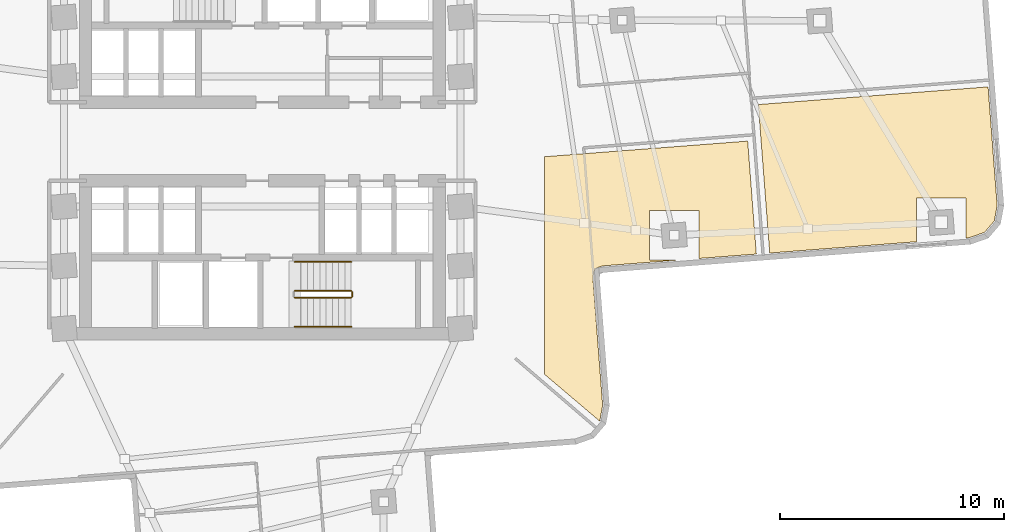
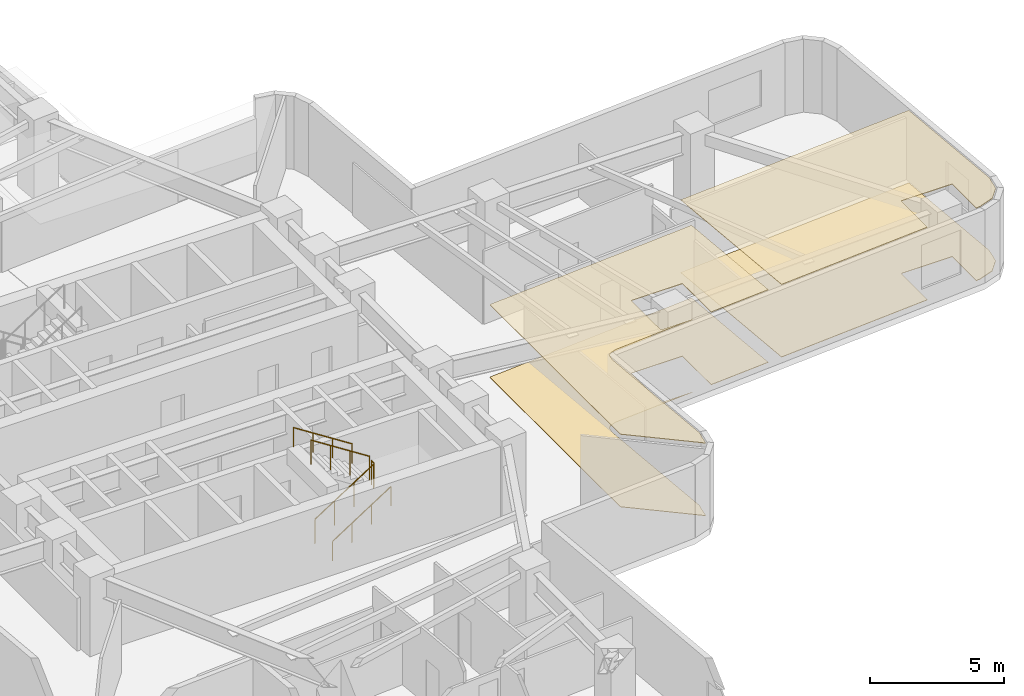
# One storey, part 8 of 10: 5 railings, 4 coverings.
"""IFC4 building model written with IfcOpenShell, lengths in metres."""

import ifcopenshell
import ifcopenshell.guid

model = None  # the IFC model being written
_history = None  # IfcOwnerHistory: only IFC2X3 demands one
_inside = {}  # id of a spatial element -> (the spatial element, [elements in it])
_under = {}  # id of a project, library or spatial element -> (it, [spatial elements below it])
_declared = {}  # id of a project -> (the project, [libraries it declares])
_typed = {}  # id of a type object -> (the type object, [elements of that type])
_made_of = {}  # id of a material, layer set ... -> (it, [elements and type objects made of it])


def new_model(schema):
    """Start an empty IFC model of exactly this schema.

    Asked for "IFC4X3", IfcOpenShell would pick the latest addendum, in which some entities
    have other attributes; the version numbers below select the first issue.
    IFC2X3 requires an IfcOwnerHistory on every rooted entity: one is made here for all.
    """
    global model, _history
    if schema == "IFC4X3":
        model = ifcopenshell.file(schema_version=(4, 3, 0, 0))
    else:
        model = ifcopenshell.file(schema=schema)
    _inside.clear()
    _under.clear()
    _declared.clear()
    _typed.clear()
    _made_of.clear()
    _history = None
    if model.schema == "IFC2X3":
        org = make("IfcOrganization", Name="unknown")
        user = make(
            "IfcPersonAndOrganization",
            ThePerson=make("IfcPerson", FamilyName="unknown"),
            TheOrganization=org,
        )
        app = make(
            "IfcApplication",
            ApplicationDeveloper=org,
            Version="unknown",
            ApplicationFullName="unknown",
            ApplicationIdentifier="unknown",
        )
        _history = make(
            "IfcOwnerHistory",
            OwningUser=user,
            OwningApplication=app,
            ChangeAction="ADDED",
            CreationDate=0,
        )
    return model


def make(cls, **values):
    """One entity of the class cls with the attributes given. An attribute that is None is left unset."""
    return model.create_entity(
        cls, **{name: value for name, value in values.items() if value is not None}
    )


def rooted(cls, **values):
    """An entity with a GlobalId (a new one), such as an element, a storey or a relation."""
    return make(cls, GlobalId=ifcopenshell.guid.new(), OwnerHistory=_history, **values)


def si_unit(unit_type, name, prefix=None):
    """IfcSIUnit, for example si_unit("LENGTHUNIT", "METRE", prefix="MILLI")."""
    return make("IfcSIUnit", UnitType=unit_type, Prefix=prefix, Name=name)


def assignment(units):
    """IfcUnitAssignment: the units of a project."""
    return None if units is None else make("IfcUnitAssignment", Units=units)


def point(xyz):
    """IfcCartesianPoint."""
    return None if xyz is None else make("IfcCartesianPoint", Coordinates=xyz)


def direction(xyz):
    """IfcDirection."""
    return None if xyz is None else make("IfcDirection", DirectionRatios=xyz)


def frame(location, z_axis=None, x_axis=None):
    """IfcAxis2Placement3D, a coordinate frame: its origin and axes. An axis left out is left unset."""
    return make(
        "IfcAxis2Placement3D",
        Location=point(location),
        Axis=direction(z_axis),
        RefDirection=direction(x_axis),
    )


def frame_2d(location, x_axis=None):
    """IfcAxis2Placement2D, a coordinate frame in the plane: its origin and x axis."""
    return make(
        "IfcAxis2Placement2D", Location=point(location), RefDirection=direction(x_axis)
    )


def origin():
    """The frame at (0, 0, 0) with its axes left unset."""
    return frame((0.0, 0.0, 0.0))


def origin_2d():
    """The frame at (0, 0) in the plane with its x axis left unset."""
    return frame_2d((0.0, 0.0))


def place(relative_to, where):
    """IfcLocalPlacement: puts the frame where relative to a parent placement (None: the world)."""
    return make(
        "IfcLocalPlacement", PlacementRelTo=relative_to, RelativePlacement=where
    )


def context(
    kind, dimensions, precision=None, world=None, true_north=None, identifier=None
):
    """IfcGeometricRepresentationContext, for example the 3D "Model" context."""
    return make(
        "IfcGeometricRepresentationContext",
        ContextIdentifier=identifier,
        ContextType=kind,
        CoordinateSpaceDimension=dimensions,
        Precision=precision,
        WorldCoordinateSystem=world,
        TrueNorth=true_north,
    )


def subcontext(parent, identifier, kind, view, scale=None):
    """IfcGeometricRepresentationSubContext, for example "Body" below "Model"."""
    return make(
        "IfcGeometricRepresentationSubContext",
        ContextIdentifier=identifier,
        ContextType=kind,
        ParentContext=parent,
        TargetScale=scale,
        TargetView=view,
    )


def project(units=None, contexts=None):
    """IfcProject with its units and contexts."""
    return rooted(
        "IfcProject",
        Name="project",
        RepresentationContexts=contexts,
        UnitsInContext=assignment(units),
    )


def spatial(cls, under=None, at=None, **own):
    """A site, building, storey or space (cls), placed at a placement, below another one or the project."""
    s = rooted(cls, ObjectPlacement=at, **own)
    if under is not None:
        _under.setdefault(under.id(), (under, []))[1].append(s)
    return s


def polyline(points):
    """IfcPolyline through the points."""
    return make("IfcPolyline", Points=[point(p) for p in points])


def profile(cls, at=None, kind="AREA", **sizes):
    """A parametric profile (cls). Its sizes go by their IFC names, for example OverallWidth=200.0."""
    return make(cls, ProfileType=kind, Position=at, **sizes)


def circle(**sizes):
    """IfcCircleProfileDef."""
    return profile("IfcCircleProfileDef", **sizes)


def outline(outer, holes=None, kind="AREA"):
    """IfcArbitraryClosedProfileDef: a profile drawn as a closed curve; with holes, ...WithVoids."""
    if holes is None:
        return make("IfcArbitraryClosedProfileDef", ProfileType=kind, OuterCurve=outer)
    return make(
        "IfcArbitraryProfileDefWithVoids",
        ProfileType=kind,
        OuterCurve=outer,
        InnerCurves=holes,
    )


def extrude(swept, where, along, depth):
    """IfcExtrudedAreaSolid: the profile swept, set in the frame where, extruded along a direction by depth."""
    return make(
        "IfcExtrudedAreaSolid",
        SweptArea=swept,
        Position=where,
        ExtrudedDirection=direction(along),
        Depth=depth,
    )


def shape(context_of_items, identifier, shape_type, items):
    """IfcShapeRepresentation: the items that make up one representation, for example the "Body"."""
    return make(
        "IfcShapeRepresentation",
        ContextOfItems=context_of_items,
        RepresentationIdentifier=identifier,
        RepresentationType=shape_type,
        Items=items,
    )


def material(Name=None, Category=None):
    """IfcMaterial."""
    return make("IfcMaterial", Name=Name, Category=Category)


def layer(
    of_material, thickness, ventilated=None, Name=None, Category=None, Priority=None
):
    """IfcMaterialLayer: one layer of a wall or slab, of a material (None: an air gap)."""
    return make(
        "IfcMaterialLayer",
        Material=of_material,
        LayerThickness=thickness,
        IsVentilated=ventilated,
        Name=Name,
        Category=Category,
        Priority=Priority,
    )


def layer_set(layers, Name=None):
    """IfcMaterialLayerSet."""
    return make("IfcMaterialLayerSet", MaterialLayers=layers, LayerSetName=Name)


def made_of(thing, what):
    """Note that an element or type object is made of a material, layer set ...; save() writes the relation."""
    if what is not None:
        _made_of.setdefault(what.id(), (what, []))[1].append(thing)
    return thing


def type_object(cls, material=None, **own):
    """A type object (cls), such as IfcWallType, which elements share."""
    return made_of(rooted(cls, **own), material)


def element(
    cls,
    number,
    at=None,
    inside=None,
    cuts=None,
    type_object=None,
    material=None,
    context=None,
    identifier="Body",
    shape_type=None,
    held_by="IfcProductDefinitionShape",
    body=None,
    shapes=None,
    **own,
):
    """One element of the class cls, such as IfcWall. Its Tag is "e" and its number.

    at: its placement. inside: the storey or other place that contains it. cuts: it is an
    opening in that element (IfcRelVoidsElement). A single representation is given by context,
    identifier, shape_type and body (its items); several are given by shapes. held_by: the class
    of the entity that holds the representations. save() writes the other relations.
    """
    e = rooted(cls, Tag="e%d" % number, ObjectPlacement=at, **own)
    if body is not None:
        shapes = [shape(context, identifier, shape_type, body)]
    if shapes is not None:
        e.Representation = make(held_by, Representations=shapes)
    if inside is not None:
        _inside.setdefault(inside.id(), (inside, []))[1].append(e)
    if cuts is not None:
        rooted(
            "IfcRelVoidsElement", RelatingBuildingElement=cuts, RelatedOpeningElement=e
        )
    if type_object is not None:
        _typed.setdefault(type_object.id(), (type_object, []))[1].append(e)
    return made_of(e, material)


def aggregate(whole, parts):
    """IfcRelAggregates: a whole, such as a stair, and the parts it consists of."""
    return rooted("IfcRelAggregates", RelatingObject=whole, RelatedObjects=parts)


def save(model, path):
    """Write the relations noted so far, then the file.

    IfcRelAggregates (storeys below a building ...), IfcRelContainedInSpatialStructure (elements
    in a storey), IfcRelDefinesByType, IfcRelAssociatesMaterial and IfcRelDeclares: one each for
    every whole, place, type object, material and project.
    """
    for whole, parts in _under.values():
        aggregate(whole, parts)
    for where, things in _inside.values():
        rooted(
            "IfcRelContainedInSpatialStructure",
            RelatedElements=things,
            RelatingStructure=where,
        )
    for kind, things in _typed.values():
        rooted("IfcRelDefinesByType", RelatedObjects=things, RelatingType=kind)
    for what, things in _made_of.values():
        rooted("IfcRelAssociatesMaterial", RelatedObjects=things, RelatingMaterial=what)
    for by, libraries in _declared.values():
        rooted("IfcRelDeclares", RelatingContext=by, RelatedDefinitions=libraries)
    model.write(path)


model = new_model("IFC4")

# Units and contexts
model_context = context("Model", 3, precision=1e-05, world=origin(), true_north=direction((0.0, 1.0)))
body_context = subcontext(model_context, "Body", "Model", "MODEL_VIEW")
ifc_project = project(units=[si_unit("LENGTHUNIT", "METRE"), si_unit("AREAUNIT", "SQUARE_METRE"), si_unit("VOLUMEUNIT", "CUBIC_METRE"), si_unit("PLANEANGLEUNIT", "RADIAN"), si_unit("MASSUNIT", "GRAM", prefix="KILO")], contexts=[model_context])

# Site, building, storey
site_placement = place(None, origin())
site = spatial("IfcSite", under=ifc_project, at=site_placement, CompositionType="ELEMENT")
building_placement = place(site_placement, origin())
building = spatial("IfcBuilding", under=site, at=building_placement, Name="Solmarez Civic Tower", CompositionType="ELEMENT")
storey_placement = place(building_placement, frame((0.0, 0.0, 56.8798828125)))
storey = spatial("IfcBuildingStorey", under=building, at=storey_placement, Name="L14", CompositionType="ELEMENT", Elevation=56.8798828125)

# Coverings
ifc_material_1 = material(Name="Perforated Mineral-Fibre Acoustic Ceiling")
ifc_layer_1 = layer(ifc_material_1, 0.02490234375)
ifc_layer_set_1 = layer_set([ifc_layer_1], Name="Perforated Mineral-Fibre Acoustic Ceiling")
covering_type_1 = type_object("IfcCoveringType", Name="COV-CEIL-ACOUSTIC", PredefinedType="CEILING", material=ifc_layer_set_1)
covering_1_placement = place(storey_placement, frame((0.0, 0.0, 3.295166015625)))
element("IfcCovering", 1, at=covering_1_placement, inside=storey, type_object=covering_type_1, Name="L14 Suspended Acoustic Ceiling 3", PredefinedType="CEILING", context=body_context, shape_type="SweptSolid", body=[
    extrude(outline(polyline([(12.60009765625, -0.675048828125), (12.60009765625, -10.39208984375), (15.06396484375, -12.48095703125), (15.069091796875, -12.47509765625), (15.197998046875, -11.779052734375), (14.761962890625, -6.10302734375), (14.760009765625, -6.08203125), (14.760009765625, -6.06201171875), (14.761962890625, -6.041015625), (14.762939453125, -6.033935546875), (14.763916015625, -6.027099609375), (14.76611328125, -6.01806640625), (14.797119140625, -5.84912109375), (14.801025390625, -5.8291015625), (14.802978515625, -5.822021484375), (14.81298828125, -5.794921875), (14.819091796875, -5.781005859375), (14.822021484375, -5.77392578125), (14.8310546875, -5.7548828125), (14.842041015625, -5.737060546875), (14.85498046875, -5.719970703125), (14.860107421875, -5.714111328125), (14.864990234375, -5.7080078125), (14.8779296875, -5.693115234375), (14.883056640625, -5.68798828125), (14.89794921875, -5.675048828125), (14.904052734375, -5.669921875), (14.919921875, -5.657958984375), (14.93701171875, -5.64697265625), (14.955078125, -5.635986328125), (14.97607421875, -5.626953125), (14.998046875, -5.618896484375), (15.157958984375, -5.56201171875), (15.1640625, -5.56005859375), (15.18310546875, -5.554931640625), (15.202880859375, -5.551025390625), (15.2099609375, -5.550048828125), (15.217041015625, -5.549072265625), (15.23095703125, -5.548095703125), (18.659912109375, -5.283935546875), (17.291015625, -5.283935546875), (17.291015625, -3.083984375), (19.490966796875, -3.083984375), (19.490966796875, -5.219970703125), (22.06103515625, -5.02294921875), (21.673095703125, 0.02294921875), (12.60009765625, -0.675048828125)])), origin(), (0.0, 0.0, 1.0), 0.02490234375),
])
covering_2_placement = place(storey_placement, frame((0.0, 0.0, 3.295166015625)))
element("IfcCovering", 2, at=covering_2_placement, inside=storey, type_object=covering_type_1, Name="L14 Suspended Acoustic Ceiling 4", PredefinedType="CEILING", context=body_context, shape_type="SweptSolid", body=[
    extrude(outline(polyline([(22.657958984375, -4.97705078125), (29.218017578125, -4.471923828125), (29.218017578125, -2.509033203125), (31.41796875, -2.509033203125), (31.41796875, -4.302978515625), (31.58203125, -4.2900390625), (32.25, -4.053955078125), (32.68603515625, -3.548095703125), (32.81494140625, -2.85107421875), (32.408935546875, 2.444091796875), (22.14794921875, 1.655029296875), (22.657958984375, -4.97705078125)])), origin(), (0.0, 0.0, 1.0), 0.02490234375),
])
ifc_material_2 = material(Name="Polished Tropical Stone Terrazzo Flooring", Category="masonry")
ifc_layer_2 = layer(ifc_material_2, 0.02001953125)
ifc_layer_set_2 = layer_set([ifc_layer_2], Name="Polished Tropical Stone Terrazzo Flooring")
covering_type_2 = type_object("IfcCoveringType", Name="COV-FLOOR-TERRAZZO", PredefinedType="FLOORING", material=ifc_layer_set_2)
covering_3_placement = place(storey_placement, origin())
element("IfcCovering", 3, at=covering_3_placement, inside=storey, type_object=covering_type_2, Name="L14 Terrazzo Floor Finish 3", PredefinedType="FLOORING", context=body_context, shape_type="SweptSolid", body=[
    extrude(outline(polyline([(12.60009765625, -0.675048828125), (12.60009765625, -10.39208984375), (15.06396484375, -12.48095703125), (15.069091796875, -12.47509765625), (15.197998046875, -11.779052734375), (14.761962890625, -6.10302734375), (14.760009765625, -6.08203125), (14.760009765625, -6.06201171875), (14.761962890625, -6.041015625), (14.762939453125, -6.033935546875), (14.763916015625, -6.027099609375), (14.76611328125, -6.01806640625), (14.797119140625, -5.84912109375), (14.801025390625, -5.8291015625), (14.802978515625, -5.822021484375), (14.81298828125, -5.794921875), (14.819091796875, -5.781005859375), (14.822021484375, -5.77392578125), (14.8310546875, -5.7548828125), (14.842041015625, -5.737060546875), (14.85498046875, -5.719970703125), (14.860107421875, -5.714111328125), (14.864990234375, -5.7080078125), (14.8779296875, -5.693115234375), (14.883056640625, -5.68798828125), (14.89794921875, -5.675048828125), (14.904052734375, -5.669921875), (14.919921875, -5.657958984375), (14.93701171875, -5.64697265625), (14.955078125, -5.635986328125), (14.97607421875, -5.626953125), (14.998046875, -5.618896484375), (15.157958984375, -5.56201171875), (15.1640625, -5.56005859375), (15.18310546875, -5.554931640625), (15.202880859375, -5.551025390625), (15.2099609375, -5.550048828125), (15.217041015625, -5.549072265625), (15.23095703125, -5.548095703125), (18.659912109375, -5.283935546875), (17.291015625, -5.283935546875), (17.291015625, -3.083984375), (19.490966796875, -3.083984375), (19.490966796875, -5.219970703125), (22.06103515625, -5.02294921875), (21.673095703125, 0.02294921875), (12.60009765625, -0.675048828125)])), origin(), (0.0, 0.0, 1.0), 0.02001953125),
])
covering_4_placement = place(storey_placement, origin())
element("IfcCovering", 4, at=covering_4_placement, inside=storey, type_object=covering_type_2, Name="L14 Terrazzo Floor Finish 4", PredefinedType="FLOORING", context=body_context, shape_type="SweptSolid", body=[
    extrude(outline(polyline([(22.657958984375, -4.97705078125), (29.218017578125, -4.471923828125), (29.218017578125, -2.509033203125), (31.41796875, -2.509033203125), (31.41796875, -4.302978515625), (31.58203125, -4.2900390625), (32.25, -4.053955078125), (32.68603515625, -3.548095703125), (32.81494140625, -2.85107421875), (32.408935546875, 2.444091796875), (22.14794921875, 1.655029296875), (22.657958984375, -4.97705078125)])), origin(), (0.0, 0.0, 1.0), 0.02001953125),
])

# Railings
ifc_material_3 = material(Name="Painted Steel Stairwell Safety Guard", Category="steel")
railing_type_1 = type_object("IfcRailingType", Name="GUARD-STAIR-1120", PredefinedType="BALUSTRADE", material=ifc_material_3)
railing_1_placement = place(storey_placement, frame((1.449951171875, -6.969970703125, 0.18017578125)))
element("IfcRailing", 5, at=railing_1_placement, inside=storey, type_object=railing_type_1, Name="L14 ST-2 stair guard 1", PredefinedType="BALUSTRADE", context=body_context, shape_type="SweptSolid", body=[
    extrude(circle(Radius=0.02392578125, at=origin_2d()), frame((0.0, 0.0, 1.09619140625), z_axis=(0.841199657755, 0.0, 0.540724639528), x_axis=(0.0, 1.0, 0.0)), (0.0, 0.0, 1.0), 2.995849609375),
    extrude(circle(Radius=0.02099609375, at=origin_2d()), origin(), (0.0, 0.0, 1.0), 1.072021484375),
    extrude(circle(Radius=0.02099609375, at=origin_2d()), frame((0.840087890625, 0.0, 0.5400390625)), (0.0, 0.0, 1.0), 1.072021484375),
    extrude(circle(Radius=0.02099609375, at=origin_2d()), frame((1.679931640625, 0.0, 1.079833984375)), (0.0, 0.0, 1.0), 1.072021484375),
    extrude(circle(Radius=0.02099609375, at=origin_2d()), frame((2.52001953125, 0.0, 1.619873046875)), (0.0, 0.0, 1.0), 1.072021484375),
])
railing_2_placement = place(storey_placement, frame((4.02001953125, -6.919921875, 1.800048828125)))
element("IfcRailing", 6, at=railing_2_placement, inside=storey, type_object=railing_type_1, Name="L14 ST-2 stair guard 2", PredefinedType="BALUSTRADE", context=body_context, shape_type="SweptSolid", body=[
    extrude(circle(Radius=0.02392578125, at=origin_2d()), frame((0.0, 0.0, 1.09619140625), z_axis=(0.0, 1.0, 0.0), x_axis=(-1.0, 0.0, 0.0)), (0.0, 0.0, 1.0), 0.199951171875),
    extrude(circle(Radius=0.02099609375, at=origin_2d()), origin(), (0.0, 0.0, 1.0), 1.072021484375),
    extrude(circle(Radius=0.02099609375, at=origin_2d()), frame((0.0, 0.199951171875, 0.0)), (0.0, 0.0, 1.0), 1.072021484375),
])
railing_3_placement = place(storey_placement, frame((3.969970703125, -6.669921875, 1.980224609375)))
element("IfcRailing", 7, at=railing_3_placement, inside=storey, type_object=railing_type_1, Name="L14 ST-2 stair guard 3", PredefinedType="BALUSTRADE", context=body_context, shape_type="SweptSolid", body=[
    extrude(circle(Radius=0.02392578125, at=origin_2d()), frame((0.0, 0.0, 1.09619140625), z_axis=(-0.841199657755, 0.0, 0.540724639528), x_axis=(0.0, -1.0, 0.0)), (0.0, 0.0, 1.0), 2.995849609375),
    extrude(circle(Radius=0.02099609375, at=origin_2d()), origin(), (0.0, 0.0, 1.0), 1.072021484375),
    extrude(circle(Radius=0.02099609375, at=origin_2d()), frame((-0.840087890625, 0.0, 0.5400390625)), (0.0, 0.0, 1.0), 1.072021484375),
    extrude(circle(Radius=0.02099609375, at=origin_2d()), frame((-1.679931640625, 0.0, 1.079833984375)), (0.0, 0.0, 1.0), 1.072021484375),
    extrude(circle(Radius=0.02099609375, at=origin_2d()), frame((-2.52001953125, 0.0, 1.619873046875)), (0.0, 0.0, 1.0), 1.072021484375),
])
ifc_material_4 = material(Name="Brushed Stainless Steel Tube Handrail", Category="steel")
railing_type_2 = type_object("IfcRailingType", Name="HANDRAIL-STAIR-900", PredefinedType="HANDRAIL", material=ifc_material_4)
railing_4_placement = place(storey_placement, frame((1.449951171875, -8.27001953125, 0.18017578125)))
element("IfcRailing", 8, at=railing_4_placement, inside=storey, type_object=railing_type_2, Name="L14 ST-2 stair handrail 1", PredefinedType="HANDRAIL", context=body_context, shape_type="SweptSolid", body=[
    extrude(circle(Radius=0.02392578125, at=origin_2d()), frame((0.0, 0.0, 0.8759765625), z_axis=(0.841199657755, 0.0, 0.540724639528), x_axis=(0.0, 1.0, 0.0)), (0.0, 0.0, 1.0), 2.995849609375),
    extrude(circle(Radius=0.02099609375, at=origin_2d()), origin(), (0.0, 0.0, 1.0), 0.851806640625),
    extrude(circle(Radius=0.02099609375, at=origin_2d()), frame((0.840087890625, 0.0, 0.5400390625)), (0.0, 0.0, 1.0), 0.851806640625),
    extrude(circle(Radius=0.02099609375, at=origin_2d()), frame((1.679931640625, 0.0, 1.079833984375)), (0.0, 0.0, 1.0), 0.851806640625),
    extrude(circle(Radius=0.02099609375, at=origin_2d()), frame((2.52001953125, 0.0, 1.619873046875)), (0.0, 0.0, 1.0), 0.851806640625),
])
railing_5_placement = place(storey_placement, frame((3.969970703125, -5.3701171875, 1.980224609375)))
element("IfcRailing", 9, at=railing_5_placement, inside=storey, type_object=railing_type_2, Name="L14 ST-2 stair handrail 2", PredefinedType="HANDRAIL", context=body_context, shape_type="SweptSolid", body=[
    extrude(circle(Radius=0.02392578125, at=origin_2d()), frame((0.0, 0.0, 0.8759765625), z_axis=(-0.841199657755, 0.0, 0.540724639528), x_axis=(0.0, -1.0, 0.0)), (0.0, 0.0, 1.0), 2.995849609375),
    extrude(circle(Radius=0.02099609375, at=origin_2d()), origin(), (0.0, 0.0, 1.0), 0.851806640625),
    extrude(circle(Radius=0.02099609375, at=origin_2d()), frame((-0.840087890625, 0.0, 0.5400390625)), (0.0, 0.0, 1.0), 0.851806640625),
    extrude(circle(Radius=0.02099609375, at=origin_2d()), frame((-1.679931640625, 0.0, 1.079833984375)), (0.0, 0.0, 1.0), 0.851806640625),
    extrude(circle(Radius=0.02099609375, at=origin_2d()), frame((-2.52001953125, 0.0, 1.619873046875)), (0.0, 0.0, 1.0), 0.851806640625),
])

save(model, "model.ifc")
